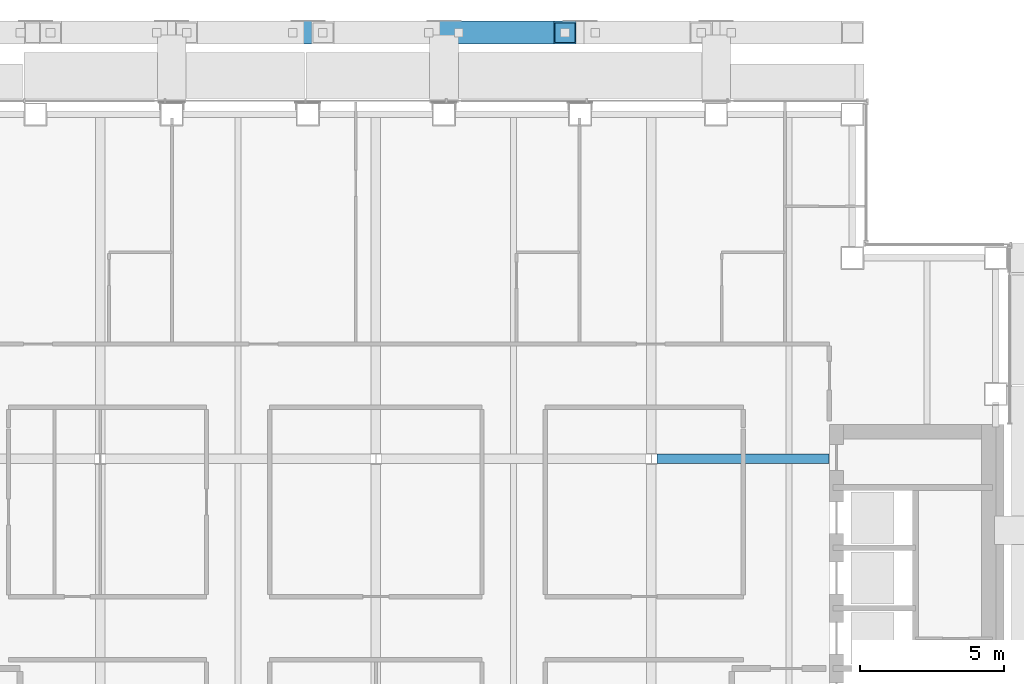
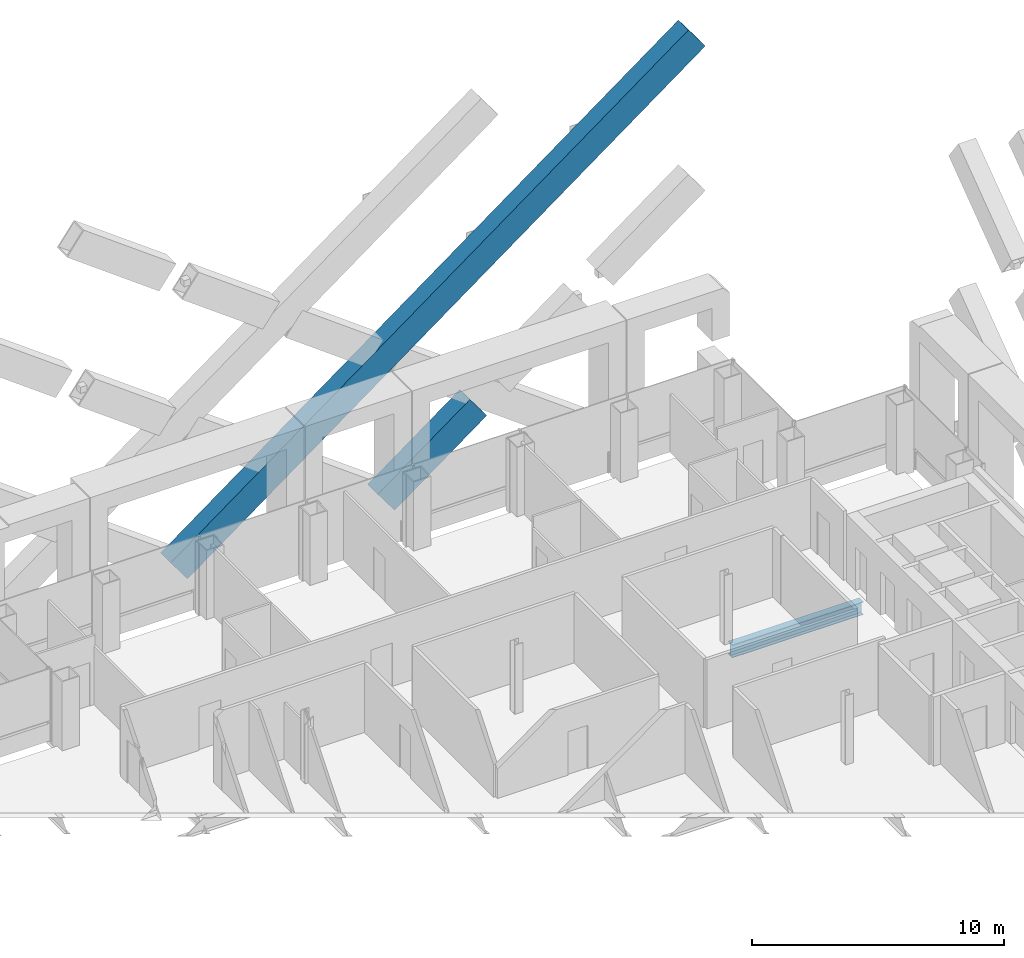
# One storey, part 10 of 25: 2 members, 1 beam.
"""IFC4 building model written with IfcOpenShell, lengths in metres."""

from ifc_helpers import new_model, si_unit, direction, frame, origin, origin_2d, place, context, subcontext, project, spatial, hollow_rectangle, i_section, extrude, material, material_profile, profile_set, type_object, element, save


model = new_model("IFC4")

# Units and contexts
model_context = context("Model", 3, precision=1e-05, world=origin(), true_north=direction((0.0, 1.0)))
body_context = subcontext(model_context, "Body", "Model", "MODEL_VIEW")
ifc_project = project(units=[si_unit("LENGTHUNIT", "METRE"), si_unit("AREAUNIT", "SQUARE_METRE"), si_unit("VOLUMEUNIT", "CUBIC_METRE"), si_unit("PLANEANGLEUNIT", "RADIAN"), si_unit("MASSUNIT", "GRAM", prefix="KILO")], contexts=[model_context])

# Site, building, storey
site_placement = place(None, origin())
site = spatial("IfcSite", under=ifc_project, at=site_placement, CompositionType="ELEMENT")
building_placement = place(site_placement, origin())
building = spatial("IfcBuilding", under=site, at=building_placement, Name="Cobrizo Arcos Hotel Tower", CompositionType="ELEMENT")
storey_placement = place(building_placement, frame((0.0, 0.0, 148.0)))
storey = spatial("IfcBuildingStorey", under=building, at=storey_placement, Name="L37", CompositionType="ELEMENT", Elevation=148.0)

# Members
ifc_material_1 = material(Name="Steel ASTM A572 Grade 50", Category="steel")
ifc_material_profile_1 = material_profile(ifc_material_1, hollow_rectangle(XDim=0.800048828125, YDim=1.300048828125, WallThickness=0.06005859375, at=origin_2d()), Name="BOX 800X1300X60")
ifc_profile_set_1 = profile_set([ifc_material_profile_1], Name="Steel ASTM A572 Grade 50")
member_type = type_object("IfcMemberType", Name="BOX 800X1300X60 perimeter brace", PredefinedType="BRACE", material=ifc_profile_set_1)
member_1_placement = place(storey_placement, frame((-7.1142578125, 24.449951171875, 0.5), z_axis=(0.804630052623, 0.0, 0.593776454918), x_axis=(0.0, 1.0, 0.0)))
element("IfcMember", 1, at=member_1_placement, inside=storey, type_object=member_type, Name="Perimeter brace PBR3, zone Z3, north face, no. 03", PredefinedType="BRACE", context=body_context, shape_type="SweptSolid", body=[
    extrude(hollow_rectangle(XDim=0.800048828125, YDim=1.300048828125, WallThickness=0.06005859375, at=origin_2d()), origin(), (0.0, 0.0, 1.0), 29.472412109375),
])
member_2_placement = place(storey_placement, frame((2.371337890625, 24.449951171875, 0.5), z_axis=(0.804623858684, 0.0, 0.593784848271), x_axis=(0.0, 1.0, 0.0)))
element("IfcMember", 2, at=member_2_placement, inside=storey, type_object=member_type, Name="Perimeter brace PBR3, zone Z3, north face, no. 01", PredefinedType="BRACE", context=body_context, shape_type="SweptSolid", body=[
    extrude(hollow_rectangle(XDim=0.800048828125, YDim=1.300048828125, WallThickness=0.06005859375, at=origin_2d()), origin(), (0.0, 0.0, 1.0), 5.244384765625),
])

# Beam
ifc_material_2 = material(Name="Steel ASTM A992 Grade 50", Category="steel")
ifc_material_profile_2 = material_profile(ifc_material_2, i_section(OverallWidth=0.32763671875, OverallDepth=0.622314453125, WebThickness=0.015380859375, FlangeThickness=0.0244140625, at=origin_2d()), Name="W24X131")
ifc_profile_set_2 = profile_set([ifc_material_profile_2], Name="Steel ASTM A992 Grade 50")
beam_type = type_object("IfcBeamType", Name="W24X131 girder", PredefinedType="BEAM", material=ifc_profile_set_2)
beam_placement = place(storey_placement, frame((9.78662109375, 9.60009765625, -0.461181640625), z_axis=(1.0, 0.0, 0.0), x_axis=(0.0, 1.0, 0.0)))
element("IfcBeam", 3, at=beam_placement, inside=storey, type_object=beam_type, Name="Floor girder G1, L37, no. 012", PredefinedType="BEAM", context=body_context, shape_type="SweptSolid", body=[
    extrude(i_section(OverallWidth=0.32763671875, OverallDepth=0.622314453125, WebThickness=0.015380859375, FlangeThickness=0.0244140625, at=origin_2d()), origin(), (0.0, 0.0, 1.0), 6.00341796875),
])

save(model, "model.ifc")
